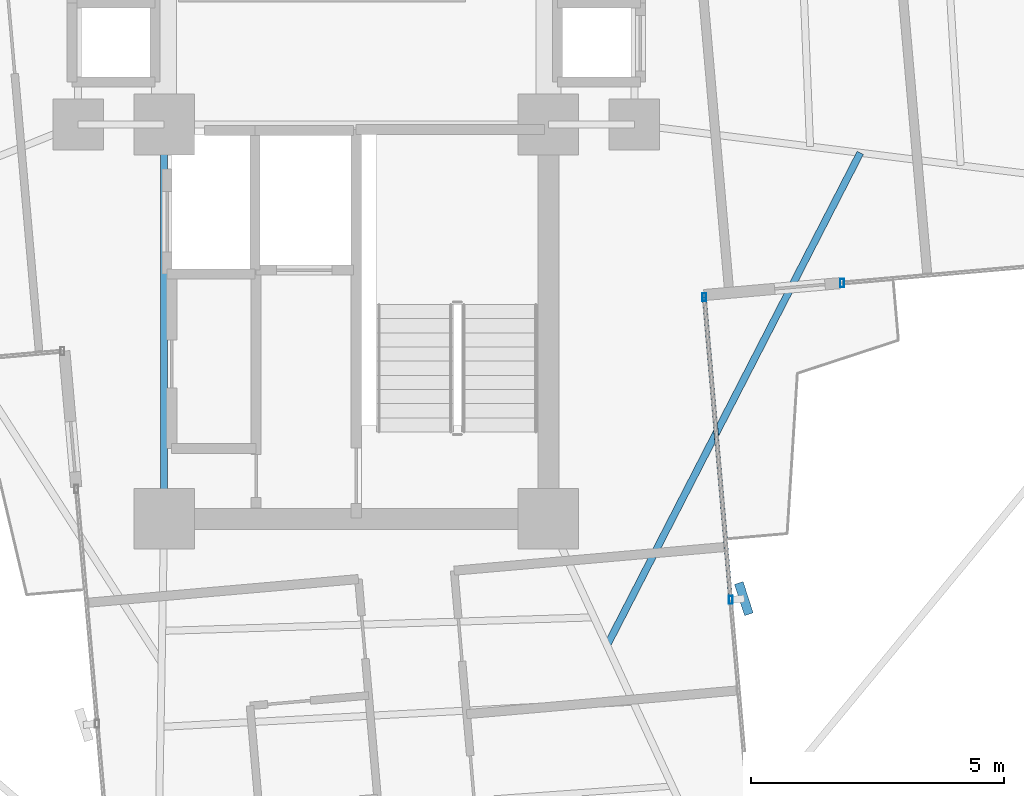
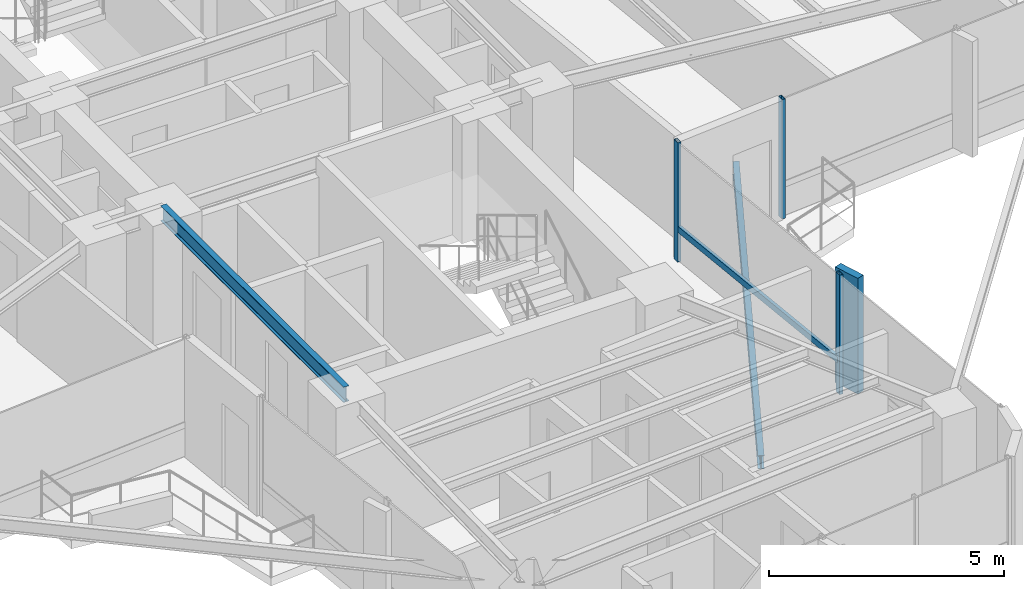
# One storey, part 7 of 24: 5 members, 2 beams, 2 elements without a shape of their own.
"""IFC4 building model written with IfcOpenShell, lengths in metres."""

from ifc_helpers import new_model, si_unit, direction, frame, origin, origin_2d, place, context, subcontext, project, spatial, rectangle, hollow_rectangle, i_section, extrude, source, transform, mapped, material, material_profile, profile_set, type_object, element, aggregate, save


model = new_model("IFC4")

# Units and contexts
model_context = context("Model", 3, precision=1e-05, world=origin(), true_north=direction((0.0, 1.0)))
body_context = subcontext(model_context, "Body", "Model", "MODEL_VIEW")
ifc_project = project(units=[si_unit("LENGTHUNIT", "METRE"), si_unit("AREAUNIT", "SQUARE_METRE"), si_unit("VOLUMEUNIT", "CUBIC_METRE"), si_unit("PLANEANGLEUNIT", "RADIAN"), si_unit("MASSUNIT", "GRAM", prefix="KILO")], contexts=[model_context])

# Site, building, storey
site_placement = place(None, origin())
site = spatial("IfcSite", under=ifc_project, at=site_placement, CompositionType="ELEMENT")
building_placement = place(site_placement, origin())
building = spatial("IfcBuilding", under=site, at=building_placement, Name="Sahyath Konkavel Grand Hotel", CompositionType="ELEMENT")
storey_placement = place(building_placement, frame((0.0, 0.0, 175.199951171875)))
storey = spatial("IfcBuildingStorey", under=building, at=storey_placement, Name="L48", CompositionType="ELEMENT", Elevation=175.199951171875)

# Beam
ifc_material_1 = material(Name="Steel E350", Category="steel")
ifc_material_profile_1 = material_profile(ifc_material_1, i_section(OverallWidth=0.139892578125, OverallDepth=0.39990234375, WebThickness=0.0087890625, FlangeThickness=0.01611328125, FilletRadius=0.013916015625, at=origin_2d()), Name="ISMB 400")
ifc_profile_set_1 = profile_set([ifc_material_profile_1], Name="Steel E350")
beam_type_1 = type_object("IfcBeamType", Name="BM-ISMB400", PredefinedType="BEAM", material=ifc_profile_set_1)
shared_shape_1 = source(origin(), body_context, "Body", "SweptSolid", [
    extrude(i_section(OverallWidth=0.139892578125, OverallDepth=0.39990234375, WebThickness=0.0087890625, FlangeThickness=0.01611328125, FilletRadius=0.013916015625, at=origin_2d()), origin(), (0.0, 0.0, 1.0), 7.800048828125),
])
beam_1_placement = place(storey_placement, frame((-3.800048828125, -10.199951171875, 2.91015625), z_axis=(0.0, 1.0, 0.0), x_axis=(-1.0, 0.0, 0.0)))
element("IfcBeam", 1, at=beam_1_placement, inside=storey, type_object=beam_type_1, Name="str:bm:L48:SC-W", PredefinedType="BEAM", context=body_context, shape_type="MappedRepresentation", body=[
    mapped(shared_shape_1, transform((0.0, 0.0, 0.0), scale=1.0)),
])

# Curtain wall, member
ifc_material_2 = material(Name="Anodised Bronze Aluminium & Low-E Glazing", Category="aluminium")
curtain_wall_type = type_object("IfcCurtainWallType", Name="CW-ZONE3", PredefinedType="NOTDEFINED", material=ifc_material_2)
curtain_wall_1_placement = place(storey_placement, origin())
curtain_wall_1 = element("IfcCurtainWall", 2, at=curtain_wall_1_placement, inside=storey, type_object=curtain_wall_type, Name="L48 Unitised Curtain Wall F31", PredefinedType="NOTDEFINED")
ifc_material_3 = material(Name="Warm Buff Sandstone Cladding on Concrete C50/60", Category="masonry")
ifc_material_profile_2 = material_profile(ifc_material_3, rectangle(XDim=0.179931640625, YDim=0.64990234375, at=origin_2d()), Name="FIN 180x650")
ifc_profile_set_2 = profile_set([ifc_material_profile_2], Name="Warm Buff Sandstone Cladding on Concrete C50/60")
member_type_1 = type_object("IfcMemberType", Name="FIN-SANDSTONE-650", PredefinedType="MULLION", material=ifc_profile_set_2)
shared_shape_2 = source(origin(), body_context, "Body", "SweptSolid", [
    extrude(rectangle(XDim=0.179931640625, YDim=0.64990234375, at=origin_2d()), origin(), (0.0, 0.0, 1.0), 3.010009765625),
])
member_1_placement = place(storey_placement, frame((7.66552734375, -11.776611328125, 0.050048828125), z_axis=(0.0, 0.0, 1.0), x_axis=(0.951648033235, 0.307190528564, 0.0)))
member_1 = element("IfcMember", 3, at=member_1_placement, type_object=member_type_1, Name="L48 Sandstone Vertical Solar Fin FIN F31-1", PredefinedType="MULLION", context=body_context, shape_type="MappedRepresentation", body=[
    mapped(shared_shape_2, transform((0.0, 0.0, 0.0), scale=1.0)),
])

curtain_wall_2_placement = place(storey_placement, origin())
curtain_wall_2 = element("IfcCurtainWall", 4, at=curtain_wall_2_placement, inside=storey, type_object=curtain_wall_type, Name="L48 Unitised Curtain Wall F0", PredefinedType="NOTDEFINED")
ifc_material_4 = material(Name="Anodised Bronze Aluminium", Category="aluminium")
ifc_material_profile_3 = material_profile(ifc_material_4, hollow_rectangle(XDim=0.080078125, YDim=0.159912109375, WallThickness=0.006103515625, at=origin_2d()), Name="RHS 160x80x6")
ifc_profile_set_3 = profile_set([ifc_material_profile_3], Name="Anodised Bronze Aluminium")
member_type_2 = type_object("IfcMemberType", Name="CW-MUL-160", PredefinedType="MULLION", material=ifc_profile_set_3)
shared_shape_3 = source(origin(), body_context, "Body", "SweptSolid", [
    extrude(hollow_rectangle(XDim=0.080078125, YDim=0.159912109375, WallThickness=0.006103515625, at=origin_2d()), origin(), (0.0, 0.0, 1.0), 3.110107421875),
])
member_2_placement = place(storey_placement, frame((9.60888671875, -5.53369140625, 0.0), z_axis=(0.0, 0.0, 1.0), x_axis=(1.0, 0.0, 0.0)))
member_2 = element("IfcMember", 5, at=member_2_placement, type_object=member_type_2, Name="L48 Curtain Wall Mullion F0-0", PredefinedType="MULLION", context=body_context, shape_type="MappedRepresentation", body=[
    mapped(shared_shape_3, transform((0.0, 0.0, 0.0), scale=1.0)),
])
aggregate(curtain_wall_2, [member_2])

# Member
member_3_placement = place(storey_placement, frame((7.406494140625, -11.79931640625, 0.0), z_axis=(0.0, 0.0, 1.0), x_axis=(1.0, 0.0, 0.0)))
member_3 = element("IfcMember", 6, at=member_3_placement, type_object=member_type_2, Name="L48 Curtain Wall Mullion F31-1", PredefinedType="MULLION", context=body_context, shape_type="MappedRepresentation", body=[
    mapped(shared_shape_3, transform((0.0, 0.0, 0.0), scale=1.0)),
])

member_4_placement = place(storey_placement, frame((6.8828125, -5.812255859375, 0.0), z_axis=(0.0, 0.0, 1.0), x_axis=(1.0, 0.0, 0.0)))
member_4 = element("IfcMember", 7, at=member_4_placement, type_object=member_type_2, Name="L48 Curtain Wall Mullion F31-2", PredefinedType="MULLION", context=body_context, shape_type="MappedRepresentation", body=[
    mapped(shared_shape_3, transform((0.0, 0.0, 0.0), scale=1.0)),
])

ifc_material_profile_4 = material_profile(ifc_material_4, hollow_rectangle(XDim=0.080078125, YDim=0.159912109375, WallThickness=0.006103515625, at=origin_2d()), Name="RHS 160x80x6")
ifc_profile_set_4 = profile_set([ifc_material_profile_4], Name="Anodised Bronze Aluminium")
member_type_3 = type_object("IfcMemberType", Name="CW-TRN-160", PredefinedType="USERDEFINED", material=ifc_profile_set_4)
shared_shape_4 = source(origin(), body_context, "Body", "SweptSolid", [
    extrude(hollow_rectangle(XDim=0.080078125, YDim=0.159912109375, WallThickness=0.006103515625, at=origin_2d()), origin(), (0.0, 0.0, 1.0), 6.010009765625),
])
member_5_placement = place(storey_placement, frame((7.406494140625, -11.79931640625, 0.85009765625), z_axis=(-0.087136210597, 0.996196406741, 0.0), x_axis=(-0.996196406741, -0.087136210597, 0.0)))
member_5 = element("IfcMember", 8, at=member_5_placement, type_object=member_type_3, Name="L48 Curtain Wall Transom F31-1-spandrel", ObjectType="TRANSOM", PredefinedType="USERDEFINED", context=body_context, shape_type="MappedRepresentation", body=[
    mapped(shared_shape_4, transform((0.0, 0.0, 0.0), scale=1.0)),
])

aggregate(curtain_wall_1, [member_3, member_1, member_4, member_5])

# Beam
ifc_material_profile_5 = material_profile(ifc_material_1, i_section(OverallWidth=0.139892578125, OverallDepth=0.35009765625, WebThickness=0.008056640625, FlangeThickness=0.01416015625, FilletRadius=0.013916015625, at=origin_2d()), Name="ISMB 350")
ifc_profile_set_5 = profile_set([ifc_material_profile_5], Name="Steel E350")
beam_type_2 = type_object("IfcBeamType", Name="BM-BALC-CANT", PredefinedType="BEAM", material=ifc_profile_set_5)
shared_shape_5 = source(origin(), body_context, "Body", "SweptSolid", [
    extrude(i_section(OverallWidth=0.139892578125, OverallDepth=0.35009765625, WebThickness=0.008056640625, FlangeThickness=0.01416015625, FilletRadius=0.013916015625, at=origin_2d()), origin(), (0.0, 0.0, 1.0), 10.95556640625),
])
beam_2_placement = place(storey_placement, frame((4.959716796875, -12.703125, -0.4150390625), z_axis=(0.457186878355, 0.889370652912, 0.0), x_axis=(-0.889370652912, 0.457186878355, 0.0)))
element("IfcBeam", 9, at=beam_2_placement, inside=storey, type_object=beam_type_2, Name="L48 Balcony Cantilever Support Beam SE", PredefinedType="BEAM", context=body_context, shape_type="MappedRepresentation", body=[
    mapped(shared_shape_5, transform((0.0, 0.0, 0.0), scale=1.0)),
])

save(model, "model.ifc")
